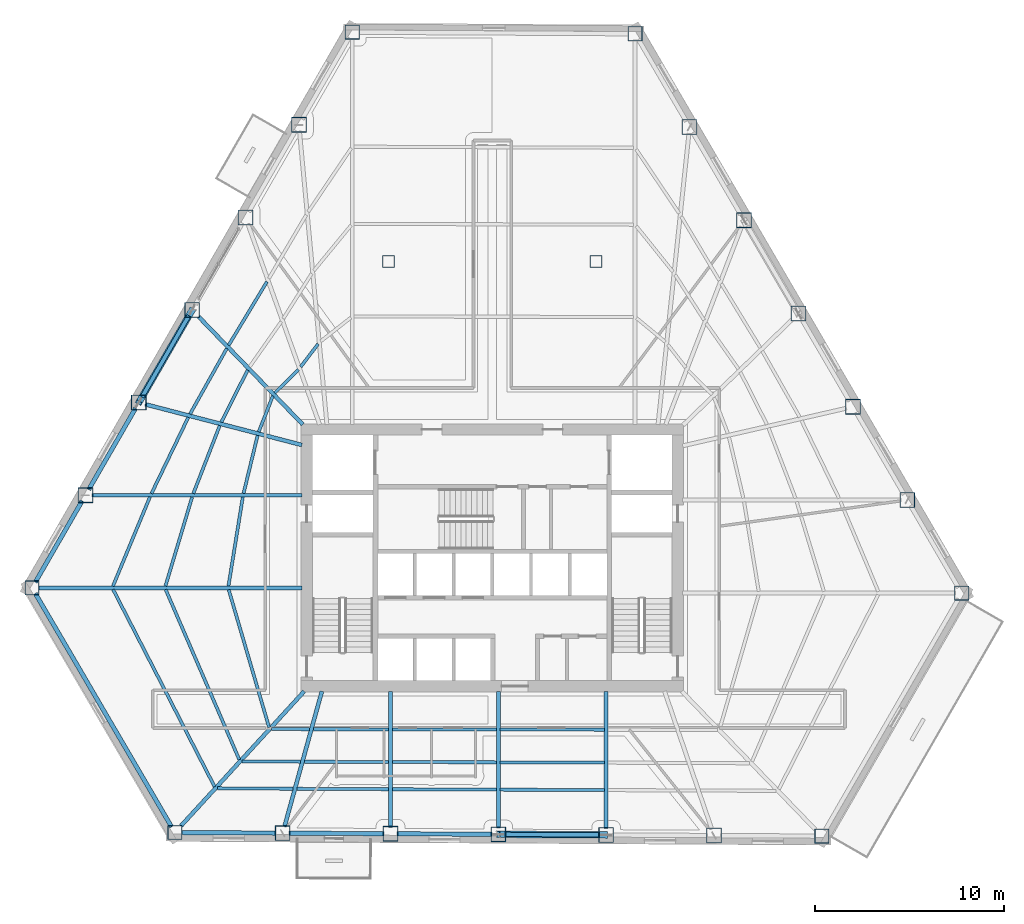
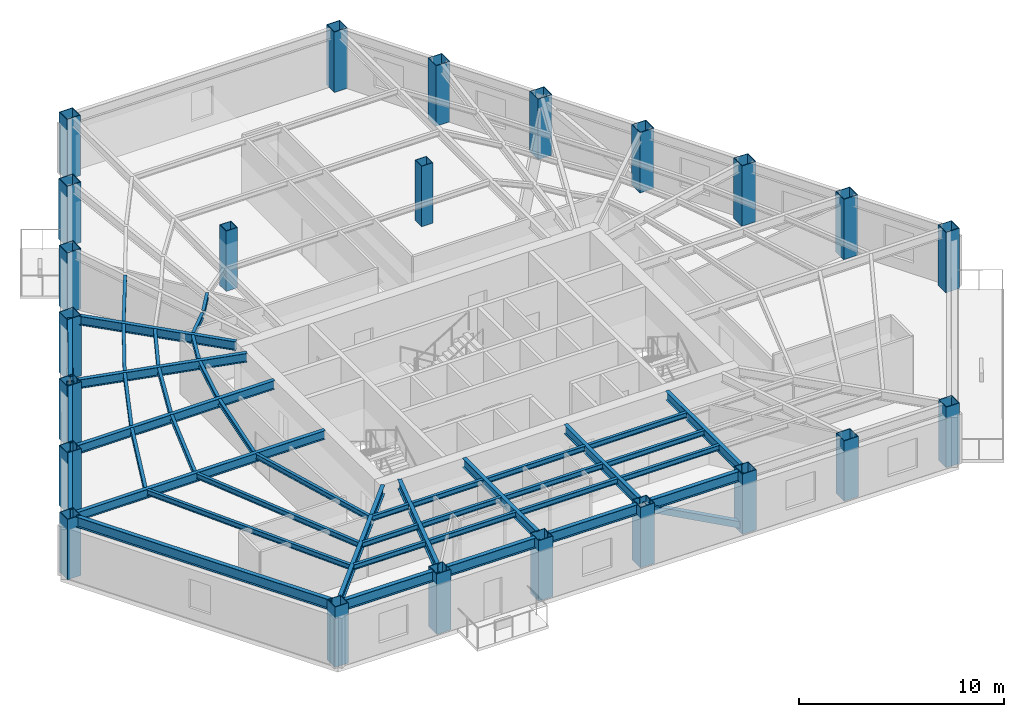
# One storey, part 1 of 16: 44 beams, 23 columns, 2 members.
"""IFC4 building model written with IfcOpenShell, lengths in metres."""

from ifc_helpers import new_model, si_unit, direction, frame, origin, origin_2d, place, context, subcontext, project, spatial, hollow_rectangle, i_section, extrude, material, material_profile, profile_set, type_object, element, save


model = new_model("IFC4")

# Units and contexts
model_context = context("Model", 3, precision=1e-05, world=origin(), true_north=direction((0.0, 1.0)))
body_context = subcontext(model_context, "Body", "Model", "MODEL_VIEW")
ifc_project = project(units=[si_unit("LENGTHUNIT", "METRE"), si_unit("AREAUNIT", "SQUARE_METRE"), si_unit("VOLUMEUNIT", "CUBIC_METRE"), si_unit("PLANEANGLEUNIT", "RADIAN"), si_unit("MASSUNIT", "GRAM", prefix="KILO")], contexts=[model_context])

# Site, building, storey
site_placement = place(None, origin())
site = spatial("IfcSite", under=ifc_project, at=site_placement, CompositionType="ELEMENT")
building_placement = place(site_placement, origin())
building = spatial("IfcBuilding", under=site, at=building_placement, Name="Kavelnor Concourse Tower", CompositionType="ELEMENT")
storey_placement = place(building_placement, frame((0.0, 0.0, 48.35009765625)))
storey = spatial("IfcBuildingStorey", under=building, at=storey_placement, Name="L12", CompositionType="ELEMENT", Elevation=48.35009765625)

# Columns
ifc_material = material(Name="Steel Grade 350", Category="steel")
ifc_material_profile_1 = material_profile(ifc_material, hollow_rectangle(XDim=0.760009765625, YDim=0.760009765625, WallThickness=0.034912109375, at=origin_2d()), Name="SHS 760x760x35")
ifc_profile_set_1 = profile_set([ifc_material_profile_1], Name="Steel Grade 350")
column_type_1 = type_object("IfcColumnType", Name="COL-FOLD-Z1", PredefinedType="COLUMN", material=ifc_profile_set_1)
for number, where, z_axis, x_axis, name in (
    (1, (30.584716796875, 43.939697265625, 0.0), (0.0, 0.0, 1.0), (1.0, 0.0, 0.0), "L12 Perimeter Corner-Fold Column F0-B0"),
    (2, (13.62841796875, 14.51611328125, 0.0), (0.0, 0.0, 1.0), (1.0, 0.0, 0.0), "L12 Perimeter Corner-Fold Column F0-B6"),
    (3, (21.19189453125, 1.5595703125, 0.0), (0.0, 0.0, 1.0), (1.0, 0.0, 0.0), "L12 Perimeter Corner-Fold Column F1-B0"),
    (4, (55.4453125, 1.368408203125, 0.0), (0.0, 0.0, 1.0), (1.0, 0.0, 0.0), "L12 Perimeter Corner-Fold Column F1-B6"),
    (5, (62.8583984375, 14.232177734375, 0.0), (0.0, 0.0, 1.0), (1.0, 0.0, 0.0), "L12 Perimeter Corner-Fold Column F2-B0"),
    (6, (45.5654296875, 43.856201171875, 0.0), (0.0, 0.0, 1.0), (1.0, 0.0, 0.0), "L12 Perimeter Corner-Fold Column F2-B6"),
):
    element("IfcColumn", number, at=place(storey_placement, frame(where, z_axis=z_axis, x_axis=x_axis)), inside=storey, type_object=column_type_1, Name=name, PredefinedType="COLUMN", context=body_context, shape_type="SweptSolid", body=[
        extrude(hollow_rectangle(XDim=0.760009765625, YDim=0.760009765625, WallThickness=0.034912109375, at=origin_2d()), origin(), (0.0, 0.0, 1.0), 3.58984375),
    ])
ifc_material_profile_2 = material_profile(ifc_material, hollow_rectangle(XDim=0.800048828125, YDim=0.800048828125, WallThickness=0.035888671875, at=origin_2d()), Name="SHS 800x800x36")
ifc_profile_set_2 = profile_set([ifc_material_profile_2], Name="Steel Grade 350")
column_type_2 = type_object("IfcColumnType", Name="COL-TUBE-Z1", PredefinedType="COLUMN", material=ifc_profile_set_2)
for number, where, z_axis, x_axis, name in (
    (7, (27.7587890625, 39.035888671875, 0.0), (0.0, 0.0, 1.0), (1.0, 0.0, 0.0), "L12 Perimeter Framed-Tube Column F0-B1"),
    (8, (24.9326171875, 34.1318359375, 0.0), (0.0, 0.0, 1.0), (1.0, 0.0, 0.0), "L12 Perimeter Framed-Tube Column F0-B2"),
    (9, (22.106689453125, 29.227783203125, 0.0), (0.0, 0.0, 1.0), (1.0, 0.0, 0.0), "L12 Perimeter Framed-Tube Column F0-B3"),
    (10, (19.280517578125, 24.323974609375, 0.0), (0.0, 0.0, 1.0), (1.0, 0.0, 0.0), "L12 Perimeter Framed-Tube Column F0-B4"),
    (11, (16.45458984375, 19.420166015625, 0.0), (0.0, 0.0, 1.0), (1.0, 0.0, 0.0), "L12 Perimeter Framed-Tube Column F0-B5"),
    (12, (26.900634765625, 1.527587890625, 0.0), (0.0, 0.0, 1.0), (1.0, 0.0, 0.0), "L12 Perimeter Framed-Tube Column F1-B1"),
    (13, (32.609619140625, 1.495849609375, 0.0), (0.0, 0.0, 1.0), (1.0, 0.0, 0.0), "L12 Perimeter Framed-Tube Column F1-B2"),
    (14, (38.318603515625, 1.464111328125, 0.0), (0.0, 0.0, 1.0), (1.0, 0.0, 0.0), "L12 Perimeter Framed-Tube Column F1-B3"),
    (15, (44.02734375, 1.43212890625, 0.0), (0.0, 0.0, 1.0), (1.0, 0.0, 0.0), "L12 Perimeter Framed-Tube Column F1-B4"),
    (16, (49.736328125, 1.400390625, 0.0), (0.0, 0.0, 1.0), (1.0, 0.0, 0.0), "L12 Perimeter Framed-Tube Column F1-B5"),
    (17, (59.976318359375, 19.16943359375, 0.0), (0.0, 0.0, 1.0), (1.0, 0.0, 0.0), "L12 Perimeter Framed-Tube Column F2-B1"),
    (18, (57.093994140625, 24.106689453125, 0.0), (0.0, 0.0, 1.0), (1.0, 0.0, 0.0), "L12 Perimeter Framed-Tube Column F2-B2"),
    (19, (54.2119140625, 29.044189453125, 0.0), (0.0, 0.0, 1.0), (1.0, 0.0, 0.0), "L12 Perimeter Framed-Tube Column F2-B3"),
    (20, (51.329833984375, 33.9814453125, 0.0), (0.0, 0.0, 1.0), (1.0, 0.0, 0.0), "L12 Perimeter Framed-Tube Column F2-B4"),
    (21, (48.447509765625, 38.918701171875, 0.0), (0.0, 0.0, 1.0), (1.0, 0.0, 0.0), "L12 Perimeter Framed-Tube Column F2-B5"),
):
    element("IfcColumn", number, at=place(storey_placement, frame(where, z_axis=z_axis, x_axis=x_axis)), inside=storey, type_object=column_type_2, Name=name, PredefinedType="COLUMN", context=body_context, shape_type="SweptSolid", body=[
        extrude(hollow_rectangle(XDim=0.800048828125, YDim=0.800048828125, WallThickness=0.035888671875, at=origin_2d()), origin(), (0.0, 0.0, 1.0), 3.58984375),
    ])
ifc_material_profile_3 = material_profile(ifc_material, hollow_rectangle(XDim=0.639892578125, YDim=0.639892578125, WallThickness=0.028076171875, at=origin_2d()), Name="SHS 640x640x28")
ifc_profile_set_3 = profile_set([ifc_material_profile_3], Name="Steel Grade 350")
column_type_3 = type_object("IfcColumnType", Name="COL-TUBE-Z3", PredefinedType="COLUMN", material=ifc_profile_set_3)
for number, where, z_axis, x_axis, name in (
    (22, (32.5, 31.800048828125, 0.0), (0.0, 0.0, 1.0), (1.0, 0.0, 0.0), "L12 North Interior Gravity Column BC-NW"),
    (23, (43.5, 31.800048828125, 0.0), (0.0, 0.0, 1.0), (1.0, 0.0, 0.0), "L12 North Interior Gravity Column BC-NE"),
):
    element("IfcColumn", number, at=place(storey_placement, frame(where, z_axis=z_axis, x_axis=x_axis)), inside=storey, type_object=column_type_3, Name=name, PredefinedType="COLUMN", context=body_context, shape_type="SweptSolid", body=[
        extrude(hollow_rectangle(XDim=0.639892578125, YDim=0.639892578125, WallThickness=0.028076171875, at=origin_2d()), origin(), (0.0, 0.0, 1.0), 3.58984375),
    ])

# Beams
ifc_material_profile_4 = material_profile(ifc_material, i_section(OverallWidth=0.166015625, OverallDepth=0.306884765625, WebThickness=0.006591796875, FlangeThickness=0.01171875, at=origin_2d()), Name="310UB46")
ifc_profile_set_4 = profile_set([ifc_material_profile_4], Name="Steel Grade 350")
beam_type_1 = type_object("IfcBeamType", Name="BM-JOIST-310", PredefinedType="JOIST", material=ifc_profile_set_4)
beam_1_placement = place(storey_placement, frame((24.041259765625, 14.421630859375, 3.4365234375), z_axis=(0.281440826043, -0.959578585336, 0.0), x_axis=(0.959578585336, 0.281440826043, 0.0)))
element("IfcBeam", 24, at=beam_1_placement, inside=storey, type_object=beam_type_1, Name="L12 Secondary Composite Joist 01-1", PredefinedType="JOIST", context=body_context, shape_type="SweptSolid", body=[
    extrude(i_section(OverallWidth=0.166015625, OverallDepth=0.306884765625, WebThickness=0.006591796875, FlangeThickness=0.01171875, at=origin_2d()), origin(), (0.0, 0.0, 1.0), 7.59814453125),
])
beam_2_placement = place(storey_placement, frame((20.704345703125, 14.42578125, 3.4365234375), z_axis=(0.397236762543, -0.917716162266, 0.0), x_axis=(0.917716162266, 0.397236762543, 0.0)))
element("IfcBeam", 25, at=beam_2_placement, inside=storey, type_object=beam_type_1, Name="L12 Secondary Composite Joist 01-2", PredefinedType="JOIST", context=body_context, shape_type="SweptSolid", body=[
    extrude(i_section(OverallWidth=0.166015625, OverallDepth=0.306884765625, WebThickness=0.006591796875, FlangeThickness=0.01171875, at=origin_2d()), origin(), (0.0, 0.0, 1.0), 9.815673828125),
])
beam_3_placement = place(storey_placement, frame((17.919921875, 14.4287109375, 3.4365234375), z_axis=(0.457730469763, -0.889091006057, 0.0), x_axis=(0.889091006057, 0.457730469763, 0.0)))
element("IfcBeam", 26, at=beam_3_placement, inside=storey, type_object=beam_type_1, Name="L12 Secondary Composite Joist 01-3", PredefinedType="JOIST", context=body_context, shape_type="SweptSolid", body=[
    extrude(i_section(OverallWidth=0.166015625, OverallDepth=0.306884765625, WebThickness=0.006591796875, FlangeThickness=0.01171875, at=origin_2d()), origin(), (0.0, 0.0, 1.0), 11.739501953125),
])
beam_4_placement = place(storey_placement, frame((26.305908203125, 7.035888671875, 3.4365234375), z_axis=(0.999997626752, -0.002178644067, 0.0), x_axis=(0.002178644067, 0.999997626752, 0.0)))
element("IfcBeam", 27, at=beam_4_placement, inside=storey, type_object=beam_type_1, Name="L12 Secondary Composite Joist 02-1", PredefinedType="JOIST", context=body_context, shape_type="SweptSolid", body=[
    extrude(i_section(OverallWidth=0.166015625, OverallDepth=0.306884765625, WebThickness=0.006591796875, FlangeThickness=0.01171875, at=origin_2d()), origin(), (0.0, 0.0, 1.0), 2.01708984375),
])
beam_5_placement = place(storey_placement, frame((24.7412109375, 5.326904296875, 3.4365234375), z_axis=(0.999986950041, -0.005108791303, 0.0), x_axis=(0.005108791303, 0.999986950041, 0.0)))
element("IfcBeam", 28, at=beam_5_placement, inside=storey, type_object=beam_type_1, Name="L12 Secondary Composite Joist 02-2", PredefinedType="JOIST", context=body_context, shape_type="SweptSolid", body=[
    extrude(i_section(OverallWidth=0.166015625, OverallDepth=0.306884765625, WebThickness=0.006591796875, FlangeThickness=0.01171875, at=origin_2d()), origin(), (0.0, 0.0, 1.0), 3.106201171875),
])
beam_6_placement = place(storey_placement, frame((23.43701171875, 3.90283203125, 3.4365234375), z_axis=(0.999979612067, -0.00638556585, 0.0), x_axis=(0.00638556585, 0.999979612067, 0.0)))
element("IfcBeam", 29, at=beam_6_placement, inside=storey, type_object=beam_type_1, Name="L12 Secondary Composite Joist 02-3", PredefinedType="JOIST", context=body_context, shape_type="SweptSolid", body=[
    extrude(i_section(OverallWidth=0.166015625, OverallDepth=0.306884765625, WebThickness=0.006591796875, FlangeThickness=0.01171875, at=origin_2d()), origin(), (0.0, 0.0, 1.0), 4.014404296875),
])
beam_7_placement = place(storey_placement, frame((28.52001953125, 7.031005859375, 3.4365234375), z_axis=(0.999997962393, -0.002018714918, 0.0), x_axis=(0.002018714918, 0.999997962393, 0.0)))
element("IfcBeam", 30, at=beam_7_placement, inside=storey, type_object=beam_type_1, Name="L12 Secondary Composite Joist 03-1", PredefinedType="JOIST", context=body_context, shape_type="SweptSolid", body=[
    extrude(i_section(OverallWidth=0.166015625, OverallDepth=0.306884765625, WebThickness=0.006591796875, FlangeThickness=0.01171875, at=origin_2d()), origin(), (0.0, 0.0, 1.0), 3.990966796875),
])
beam_8_placement = place(storey_placement, frame((28.04443359375, 5.31005859375, 3.4365234375), z_axis=(0.99999368857, -0.003552860878, 0.0), x_axis=(0.003552860878, 0.99999368857, 0.0)))
element("IfcBeam", 31, at=beam_8_placement, inside=storey, type_object=beam_type_1, Name="L12 Secondary Composite Joist 03-2", PredefinedType="JOIST", context=body_context, shape_type="SweptSolid", body=[
    extrude(i_section(OverallWidth=0.166015625, OverallDepth=0.306884765625, WebThickness=0.006591796875, FlangeThickness=0.01171875, at=origin_2d()), origin(), (0.0, 0.0, 1.0), 4.466552734375),
])
beam_9_placement = place(storey_placement, frame((27.648193359375, 3.876220703125, 3.4365234375), z_axis=(0.999989099728, -0.004669092593, 0.0), x_axis=(0.004669092593, 0.999989099728, 0.0)))
element("IfcBeam", 32, at=beam_9_placement, inside=storey, type_object=beam_type_1, Name="L12 Secondary Composite Joist 03-3", PredefinedType="JOIST", context=body_context, shape_type="SweptSolid", body=[
    extrude(i_section(OverallWidth=0.166015625, OverallDepth=0.306884765625, WebThickness=0.006591796875, FlangeThickness=0.01171875, at=origin_2d()), origin(), (0.0, 0.0, 1.0), 4.86279296875),
])
for number, where, z_axis, x_axis, name in (
    (33, (32.7080078125, 7.022705078125, 3.4365234375), (0.999998798364, -0.001550248392, 0.0), (0.001550248392, 0.999998798364, 0.0), "L12 Secondary Composite Joist 04-1"),
    (34, (32.7080078125, 5.293701171875, 3.4365234375), (0.999995727101, -0.002923316561, 0.0), (0.002923316561, 0.999995727101, 0.0), "L12 Secondary Composite Joist 04-2"),
    (35, (32.7080078125, 3.852783203125, 3.4365234375), (0.999991877027, -0.004030617921, 0.0), (0.004030617921, 0.999991877027, 0.0), "L12 Secondary Composite Joist 04-3"),
    (36, (38.4169921875, 7.013916015625, 3.4365234375), (0.999998728719, -0.001594541092, 0.0), (0.001594541092, 0.999998728719, 0.0), "L12 Secondary Composite Joist 05-1"),
    (37, (38.4169921875, 5.277099609375, 3.4365234375), (0.999995727101, -0.002923316561, 0.0), (0.002923316561, 0.999995727101, 0.0), "L12 Secondary Composite Joist 05-2"),
    (38, (38.4169921875, 3.82958984375, 3.4365234375), (0.99999205457, -0.003986326124, 0.0), (0.003986326124, 0.99999205457, 0.0), "L12 Secondary Composite Joist 05-3"),
):
    element("IfcBeam", number, at=place(storey_placement, frame(where, z_axis=z_axis, x_axis=x_axis)), inside=storey, type_object=beam_type_1, Name=name, PredefinedType="JOIST", context=body_context, shape_type="SweptSolid", body=[
        extrude(i_section(OverallWidth=0.166015625, OverallDepth=0.306884765625, WebThickness=0.006591796875, FlangeThickness=0.01171875, at=origin_2d()), origin(), (0.0, 0.0, 1.0), 5.511962890625),
    ])
beam_10_placement = place(storey_placement, frame((28.77685546875, 27.431640625, 3.4365234375), z_axis=(-0.605561450605, -0.79579854834, 0.0), x_axis=(0.79579854834, -0.605561450605, 0.0)))
element("IfcBeam", 39, at=beam_10_placement, inside=storey, type_object=beam_type_1, Name="L12 Secondary Composite Joist 17-1", PredefinedType="JOIST", context=body_context, shape_type="SweptSolid", body=[
    extrude(i_section(OverallWidth=0.166015625, OverallDepth=0.306884765625, WebThickness=0.006591796875, FlangeThickness=0.01171875, at=origin_2d()), origin(), (0.0, 0.0, 1.0), 1.527099609375),
])
beam_11_placement = place(storey_placement, frame((27.72265625, 26.068603515625, 3.4365234375), z_axis=(-0.709201898561, -0.705005437623, 0.0), x_axis=(0.705005437623, -0.709201898561, 0.0)))
element("IfcBeam", 40, at=beam_11_placement, inside=storey, type_object=beam_type_1, Name="L12 Secondary Composite Joist 18-1", PredefinedType="JOIST", context=body_context, shape_type="SweptSolid", body=[
    extrude(i_section(OverallWidth=0.166015625, OverallDepth=0.306884765625, WebThickness=0.006591796875, FlangeThickness=0.01171875, at=origin_2d()), origin(), (0.0, 0.0, 1.0), 1.745361328125),
])
beam_12_placement = place(storey_placement, frame((26.06884765625, 30.7294921875, 3.4365234375), z_axis=(-0.516175728219, -0.856482701283, 0.0), x_axis=(0.856482701283, -0.516175728219, 0.0)))
element("IfcBeam", 41, at=beam_12_placement, inside=storey, type_object=beam_type_1, Name="L12 Secondary Composite Joist 18-3", PredefinedType="JOIST", context=body_context, shape_type="SweptSolid", body=[
    extrude(i_section(OverallWidth=0.166015625, OverallDepth=0.306884765625, WebThickness=0.006591796875, FlangeThickness=0.01171875, at=origin_2d()), origin(), (0.0, 0.0, 1.0), 3.929931640625),
])
beam_13_placement = place(storey_placement, frame((26.37890625, 24.677001953125, 3.4365234375), z_axis=(-0.365678245073, -0.93074132877, 0.0), x_axis=(0.93074132877, -0.365678245073, 0.0)))
element("IfcBeam", 42, at=beam_13_placement, inside=storey, type_object=beam_type_1, Name="L12 Secondary Composite Joist 19-1", PredefinedType="JOIST", context=body_context, shape_type="SweptSolid", body=[
    extrude(i_section(OverallWidth=0.166015625, OverallDepth=0.306884765625, WebThickness=0.006591796875, FlangeThickness=0.01171875, at=origin_2d()), origin(), (0.0, 0.0, 1.0), 2.043701171875),
])
beam_14_placement = place(storey_placement, frame((25.047607421875, 26.05029296875, 3.4365234375), z_axis=(-0.451876101109, -0.89208070781, 0.0), x_axis=(0.89208070781, -0.451876101109, 0.0)))
element("IfcBeam", 43, at=beam_14_placement, inside=storey, type_object=beam_type_1, Name="L12 Secondary Composite Joist 19-2", PredefinedType="JOIST", context=body_context, shape_type="SweptSolid", body=[
    extrude(i_section(OverallWidth=0.166015625, OverallDepth=0.306884765625, WebThickness=0.006591796875, FlangeThickness=0.01171875, at=origin_2d()), origin(), (0.0, 0.0, 1.0), 3.095703125),
])
beam_15_placement = place(storey_placement, frame((23.94140625, 27.193115234375, 3.4365234375), z_axis=(-0.488995167827, -0.872286492984, 0.0), x_axis=(0.872286492984, -0.488995167827, 0.0)))
element("IfcBeam", 44, at=beam_15_placement, inside=storey, type_object=beam_type_1, Name="L12 Secondary Composite Joist 19-3", PredefinedType="JOIST", context=body_context, shape_type="SweptSolid", body=[
    extrude(i_section(OverallWidth=0.166015625, OverallDepth=0.306884765625, WebThickness=0.006591796875, FlangeThickness=0.01171875, at=origin_2d()), origin(), (0.0, 0.0, 1.0), 3.984130859375),
])
beam_16_placement = place(storey_placement, frame((25.572509765625, 22.58740234375, 3.4365234375), z_axis=(-0.235531486018, -0.971866718791, 0.0), x_axis=(0.971866718791, -0.235531486018, 0.0)))
element("IfcBeam", 45, at=beam_16_placement, inside=storey, type_object=beam_type_1, Name="L12 Secondary Composite Joist 20-1", PredefinedType="JOIST", context=body_context, shape_type="SweptSolid", body=[
    extrude(i_section(OverallWidth=0.166015625, OverallDepth=0.306884765625, WebThickness=0.006591796875, FlangeThickness=0.01171875, at=origin_2d()), origin(), (0.0, 0.0, 1.0), 3.160400390625),
])
beam_17_placement = place(storey_placement, frame((23.568603515625, 23.10888671875, 3.4365234375), z_axis=(-0.362308875805, -0.932058087521, 0.0), x_axis=(0.932058087521, -0.362308875805, 0.0)))
element("IfcBeam", 46, at=beam_17_placement, inside=storey, type_object=beam_type_1, Name="L12 Secondary Composite Joist 20-2", PredefinedType="JOIST", context=body_context, shape_type="SweptSolid", body=[
    extrude(i_section(OverallWidth=0.166015625, OverallDepth=0.306884765625, WebThickness=0.006591796875, FlangeThickness=0.01171875, at=origin_2d()), origin(), (0.0, 0.0, 1.0), 3.859130859375),
])
beam_18_placement = place(storey_placement, frame((21.902099609375, 23.54296875, 3.4365234375), z_axis=(-0.435142158585, -0.900361761639, 0.0), x_axis=(0.900361761639, -0.435142158585, 0.0)))
element("IfcBeam", 47, at=beam_18_placement, inside=storey, type_object=beam_type_1, Name="L12 Secondary Composite Joist 20-3", PredefinedType="JOIST", context=body_context, shape_type="SweptSolid", body=[
    extrude(i_section(OverallWidth=0.166015625, OverallDepth=0.306884765625, WebThickness=0.006591796875, FlangeThickness=0.01171875, at=origin_2d()), origin(), (0.0, 0.0, 1.0), 4.480712890625),
])
beam_19_placement = place(storey_placement, frame((24.789306640625, 19.322998046875, 3.4365234375), z_axis=(-0.15930966887, -0.987228661154, 0.0), x_axis=(0.987228661154, -0.15930966887, 0.0)))
element("IfcBeam", 48, at=beam_19_placement, inside=storey, type_object=beam_type_1, Name="L12 Secondary Composite Joist 21-1", PredefinedType="JOIST", context=body_context, shape_type="SweptSolid", body=[
    extrude(i_section(OverallWidth=0.166015625, OverallDepth=0.306884765625, WebThickness=0.006591796875, FlangeThickness=0.01171875, at=origin_2d()), origin(), (0.0, 0.0, 1.0), 4.770751953125),
])
beam_20_placement = place(storey_placement, frame((22.1064453125, 19.32568359375, 3.4365234375), z_axis=(-0.287079402262, -0.957906789201, 0.0), x_axis=(0.957906789201, -0.287079402262, 0.0)))
element("IfcBeam", 49, at=beam_20_placement, inside=storey, type_object=beam_type_1, Name="L12 Secondary Composite Joist 21-2", PredefinedType="JOIST", context=body_context, shape_type="SweptSolid", body=[
    extrude(i_section(OverallWidth=0.166015625, OverallDepth=0.306884765625, WebThickness=0.006591796875, FlangeThickness=0.01171875, at=origin_2d()), origin(), (0.0, 0.0, 1.0), 4.92236328125),
])
beam_21_placement = place(storey_placement, frame((19.871826171875, 19.3291015625, 3.4365234375), z_axis=(-0.383241621715, -0.923648125308, 0.0), x_axis=(0.923648125308, -0.383241621715, 0.0)))
element("IfcBeam", 50, at=beam_21_placement, inside=storey, type_object=beam_type_1, Name="L12 Secondary Composite Joist 21-3", PredefinedType="JOIST", context=body_context, shape_type="SweptSolid", body=[
    extrude(i_section(OverallWidth=0.166015625, OverallDepth=0.306884765625, WebThickness=0.006591796875, FlangeThickness=0.01171875, at=origin_2d()), origin(), (0.0, 0.0, 1.0), 5.1123046875),
])
ifc_material_profile_5 = material_profile(ifc_material, i_section(OverallWidth=0.208984375, OverallDepth=0.528076171875, WebThickness=0.009521484375, FlangeThickness=0.01318359375, at=origin_2d()), Name="530UB82")
ifc_profile_set_5 = profile_set([ifc_material_profile_5], Name="Steel Grade 350")
beam_type_2 = type_object("IfcBeamType", Name="BM-PRIMARY-530", PredefinedType="BEAM", material=ifc_profile_set_5)
beam_22_placement = place(storey_placement, frame((27.95849609375, 23.171142578125, 3.325927734375), z_axis=(-0.694831175142, 0.719172884674, 0.0), x_axis=(-0.719172884674, -0.694831175142, 0.0)))
element("IfcBeam", 51, at=beam_22_placement, inside=storey, type_object=beam_type_2, Name="L12 Primary Floor Girder F0-B3", PredefinedType="BEAM", context=body_context, shape_type="SweptSolid", body=[
    extrude(i_section(OverallWidth=0.208984375, OverallDepth=0.528076171875, WebThickness=0.009521484375, FlangeThickness=0.01318359375, at=origin_2d()), origin(), (0.0, 0.0, 1.0), 7.93359375),
])
beam_23_placement = place(storey_placement, frame((27.918701171875, 22.07958984375, 3.325927734375), z_axis=(-0.967863000031, 0.251478057035, 0.0), x_axis=(-0.251478057035, -0.967863000031, 0.0)))
element("IfcBeam", 52, at=beam_23_placement, inside=storey, type_object=beam_type_2, Name="L12 Primary Floor Girder F0-B4", PredefinedType="BEAM", context=body_context, shape_type="SweptSolid", body=[
    extrude(i_section(OverallWidth=0.208984375, OverallDepth=0.528076171875, WebThickness=0.009521484375, FlangeThickness=0.01318359375, at=origin_2d()), origin(), (0.0, 0.0, 1.0), 8.572265625),
])
beam_24_placement = place(storey_placement, frame((27.919921875, 19.420166015625, 3.325927734375), z_axis=(-1.0, 0.0, 0.0), x_axis=(0.0, -1.0, 0.0)))
element("IfcBeam", 53, at=beam_24_placement, inside=storey, type_object=beam_type_2, Name="L12 Primary Floor Girder F0-B5", PredefinedType="BEAM", context=body_context, shape_type="SweptSolid", body=[
    extrude(i_section(OverallWidth=0.208984375, OverallDepth=0.528076171875, WebThickness=0.009521484375, FlangeThickness=0.01318359375, at=origin_2d()), origin(), (0.0, 0.0, 1.0), 11.12548828125),
])
beam_25_placement = place(storey_placement, frame((27.919921875, 14.51611328125, 3.325927734375), z_axis=(-1.0, 0.0, 0.0), x_axis=(0.0, -1.0, 0.0)))
element("IfcBeam", 54, at=beam_25_placement, inside=storey, type_object=beam_type_2, Name="L12 Primary Floor Girder F0-B6", PredefinedType="BEAM", context=body_context, shape_type="SweptSolid", body=[
    extrude(i_section(OverallWidth=0.208984375, OverallDepth=0.528076171875, WebThickness=0.009521484375, FlangeThickness=0.01318359375, at=origin_2d()), origin(), (0.0, 0.0, 1.0), 13.951416015625),
])
beam_26_placement = place(storey_placement, frame((28.033203125, 9.029541015625, 3.325927734375), z_axis=(-0.675409651412, -0.737442745425, 0.0), x_axis=(0.737442745425, -0.675409651412, 0.0)))
element("IfcBeam", 55, at=beam_26_placement, inside=storey, type_object=beam_type_2, Name="L12 Primary Floor Girder F1-B0", PredefinedType="BEAM", context=body_context, shape_type="SweptSolid", body=[
    extrude(i_section(OverallWidth=0.208984375, OverallDepth=0.528076171875, WebThickness=0.009521484375, FlangeThickness=0.01318359375, at=origin_2d()), origin(), (0.0, 0.0, 1.0), 9.654052734375),
])
beam_27_placement = place(storey_placement, frame((28.976318359375, 9.03857421875, 3.325927734375), z_axis=(-0.26635704654, -0.963874433605, 0.0), x_axis=(0.963874433605, -0.26635704654, 0.0)))
element("IfcBeam", 56, at=beam_27_placement, inside=storey, type_object=beam_type_2, Name="L12 Primary Floor Girder F1-B1", PredefinedType="BEAM", context=body_context, shape_type="SweptSolid", body=[
    extrude(i_section(OverallWidth=0.208984375, OverallDepth=0.528076171875, WebThickness=0.009521484375, FlangeThickness=0.01318359375, at=origin_2d()), origin(), (0.0, 0.0, 1.0), 7.438232421875),
])
beam_28_placement = place(storey_placement, frame((32.609619140625, 9.0400390625, 3.325927734375), z_axis=(0.0, -1.0, 0.0), x_axis=(1.0, 0.0, 0.0)))
element("IfcBeam", 57, at=beam_28_placement, inside=storey, type_object=beam_type_2, Name="L12 Primary Floor Girder F1-B2", PredefinedType="BEAM", context=body_context, shape_type="SweptSolid", body=[
    extrude(i_section(OverallWidth=0.208984375, OverallDepth=0.528076171875, WebThickness=0.009521484375, FlangeThickness=0.01318359375, at=origin_2d()), origin(), (0.0, 0.0, 1.0), 7.2041015625),
])
beam_29_placement = place(storey_placement, frame((38.318603515625, 9.0400390625, 3.325927734375), z_axis=(0.0, -1.0, 0.0), x_axis=(1.0, 0.0, 0.0)))
element("IfcBeam", 58, at=beam_29_placement, inside=storey, type_object=beam_type_2, Name="L12 Primary Floor Girder F1-B3", PredefinedType="BEAM", context=body_context, shape_type="SweptSolid", body=[
    extrude(i_section(OverallWidth=0.208984375, OverallDepth=0.528076171875, WebThickness=0.009521484375, FlangeThickness=0.01318359375, at=origin_2d()), origin(), (0.0, 0.0, 1.0), 7.236083984375),
])
beam_30_placement = place(storey_placement, frame((44.02734375, 9.0400390625, 3.325927734375), z_axis=(0.0, -1.0, 0.0), x_axis=(1.0, 0.0, 0.0)))
element("IfcBeam", 59, at=beam_30_placement, inside=storey, type_object=beam_type_2, Name="L12 Primary Floor Girder F1-B4", PredefinedType="BEAM", context=body_context, shape_type="SweptSolid", body=[
    extrude(i_section(OverallWidth=0.208984375, OverallDepth=0.528076171875, WebThickness=0.009521484375, FlangeThickness=0.01318359375, at=origin_2d()), origin(), (0.0, 0.0, 1.0), 7.267822265625),
])
ifc_material_profile_6 = material_profile(ifc_material, i_section(OverallWidth=0.22900390625, OverallDepth=0.612060546875, WebThickness=0.011962890625, FlangeThickness=0.01953125, at=origin_2d()), Name="610UB125")
ifc_profile_set_6 = profile_set([ifc_material_profile_6], Name="Steel Grade 350")
beam_type_3 = type_object("IfcBeamType", Name="BM-SPANDREL-Z1", PredefinedType="SPANDREL", material=ifc_profile_set_6)
for number, where, z_axis, x_axis, name in (
    (60, (21.934326171875, 28.928955078125, 3.283935546875), (-0.499288623341, -0.866435727912, 0.0), (0.866435727912, -0.499288623341, 0.0), "L12 Perimeter Tube Spandrel Beam F0-B3"),
    (61, (19.108154296875, 24.025146484375, 3.283935546875), (-0.499288623341, -0.866435727912, 0.0), (0.866435727912, -0.499288623341, 0.0), "L12 Perimeter Tube Spandrel Beam F0-B4"),
):
    element("IfcBeam", number, at=place(storey_placement, frame(where, z_axis=z_axis, x_axis=x_axis)), inside=storey, type_object=beam_type_3, Name=name, PredefinedType="SPANDREL", context=body_context, shape_type="SweptSolid", body=[
        extrude(i_section(OverallWidth=0.22900390625, OverallDepth=0.612060546875, WebThickness=0.011962890625, FlangeThickness=0.01953125, at=origin_2d()), origin(), (0.0, 0.0, 1.0), 4.969970703125),
    ])
beam_31_placement = place(storey_placement, frame((16.2822265625, 19.12109375, 3.283935546875), z_axis=(-0.499309874884, -0.86642348124, 0.0), x_axis=(0.86642348124, -0.499309874884, 0.0)))
element("IfcBeam", 62, at=beam_31_placement, inside=storey, type_object=beam_type_3, Name="L12 Perimeter Tube Spandrel Beam F0-B5", PredefinedType="SPANDREL", context=body_context, shape_type="SweptSolid", body=[
    extrude(i_section(OverallWidth=0.22900390625, OverallDepth=0.612060546875, WebThickness=0.011962890625, FlangeThickness=0.01953125, at=origin_2d()), origin(), (0.0, 0.0, 1.0), 4.9697265625),
])
beam_32_placement = place(storey_placement, frame((21.536865234375, 1.5576171875, 3.283935546875), z_axis=(0.999984352822, -0.005594113955, 0.0), x_axis=(0.005594113955, 0.999984352822, 0.0)))
element("IfcBeam", 63, at=beam_32_placement, inside=storey, type_object=beam_type_3, Name="L12 Perimeter Tube Spandrel Beam F1-B0", PredefinedType="SPANDREL", context=body_context, shape_type="SweptSolid", body=[
    extrude(i_section(OverallWidth=0.22900390625, OverallDepth=0.612060546875, WebThickness=0.011962890625, FlangeThickness=0.01953125, at=origin_2d()), origin(), (0.0, 0.0, 1.0), 5.018798828125),
])
beam_33_placement = place(storey_placement, frame((27.24560546875, 1.52587890625, 3.283935546875), z_axis=(0.999984354344, -0.00559384185, 0.0), x_axis=(0.00559384185, 0.999984354344, 0.0)))
element("IfcBeam", 64, at=beam_33_placement, inside=storey, type_object=beam_type_3, Name="L12 Perimeter Tube Spandrel Beam F1-B1", PredefinedType="SPANDREL", context=body_context, shape_type="SweptSolid", body=[
    extrude(i_section(OverallWidth=0.22900390625, OverallDepth=0.612060546875, WebThickness=0.011962890625, FlangeThickness=0.01953125, at=origin_2d()), origin(), (0.0, 0.0, 1.0), 5.01904296875),
])
for number, where, z_axis, x_axis, name in (
    (65, (32.95458984375, 1.493896484375, 3.283935546875), (0.999984352822, -0.005594113955, 0.0), (0.005594113955, 0.999984352822, 0.0), "L12 Perimeter Tube Spandrel Beam F1-B2"),
    (66, (38.66357421875, 1.462158203125, 3.283935546875), (0.999984352822, -0.005594113955, 0.0), (0.005594113955, 0.999984352822, 0.0), "L12 Perimeter Tube Spandrel Beam F1-B3"),
):
    element("IfcBeam", number, at=place(storey_placement, frame(where, z_axis=z_axis, x_axis=x_axis)), inside=storey, type_object=beam_type_3, Name=name, PredefinedType="SPANDREL", context=body_context, shape_type="SweptSolid", body=[
        extrude(i_section(OverallWidth=0.22900390625, OverallDepth=0.612060546875, WebThickness=0.011962890625, FlangeThickness=0.01953125, at=origin_2d()), origin(), (0.0, 0.0, 1.0), 5.018798828125),
    ])
beam_34_placement = place(storey_placement, frame((13.80224609375, 14.21826171875, 3.283935546875), z_axis=(0.504136145184, -0.863624193222, 0.0), x_axis=(0.863624193222, 0.504136145184, 0.0)))
element("IfcBeam", 67, at=beam_34_placement, inside=storey, type_object=beam_type_3, Name="L12 Chamfer Facet Spandrel Beam C1", PredefinedType="SPANDREL", context=body_context, shape_type="SweptSolid", body=[
    extrude(i_section(OverallWidth=0.22900390625, OverallDepth=0.612060546875, WebThickness=0.011962890625, FlangeThickness=0.01953125, at=origin_2d()), origin(), (0.0, 0.0, 1.0), 14.312744140625),
])

# Members
ifc_material_profile_7 = material_profile(ifc_material, hollow_rectangle(XDim=0.35009765625, YDim=0.35009765625, WallThickness=0.02001953125, at=origin_2d()), Name="SHS 350x350x20")
ifc_profile_set_7 = profile_set([ifc_material_profile_7], Name="Steel Grade 350")
member_type = type_object("IfcMemberType", Name="MBR-TUBE-DIAG-Z1", PredefinedType="BRACE", material=ifc_profile_set_7)
member_1_placement = place(storey_placement, frame((22.106689453125, 29.227783203125, 0.219970703125), z_axis=(-0.439117344164, -0.761930802944, 0.476064501491), x_axis=(0.866410987515, -0.499331553892, 0.0)))
element("IfcMember", 68, at=member_1_placement, inside=storey, type_object=member_type, Name="L12 Framed-Tube Bracing Diagonal F0-B3", PredefinedType="BRACE", context=body_context, shape_type="SweptSolid", body=[
    extrude(hollow_rectangle(XDim=0.35009765625, YDim=0.35009765625, WallThickness=0.02001953125, at=origin_2d()), origin(), (0.0, 0.0, 1.0), 6.43603515625),
])
member_2_placement = place(storey_placement, frame((44.02734375, 1.43212890625, 0.219970703125), z_axis=(-0.881102047935, 0.004936251477, 0.472900427729), x_axis=(-0.005602272772, -0.999984307147, 0.0)))
element("IfcMember", 69, at=member_2_placement, inside=storey, type_object=member_type, Name="L12 Framed-Tube Bracing Diagonal F1-B3", PredefinedType="BRACE", context=body_context, shape_type="SweptSolid", body=[
    extrude(hollow_rectangle(XDim=0.35009765625, YDim=0.35009765625, WallThickness=0.02001953125, at=origin_2d()), origin(), (0.0, 0.0, 1.0), 6.47900390625),
])

save(model, "model.ifc")
